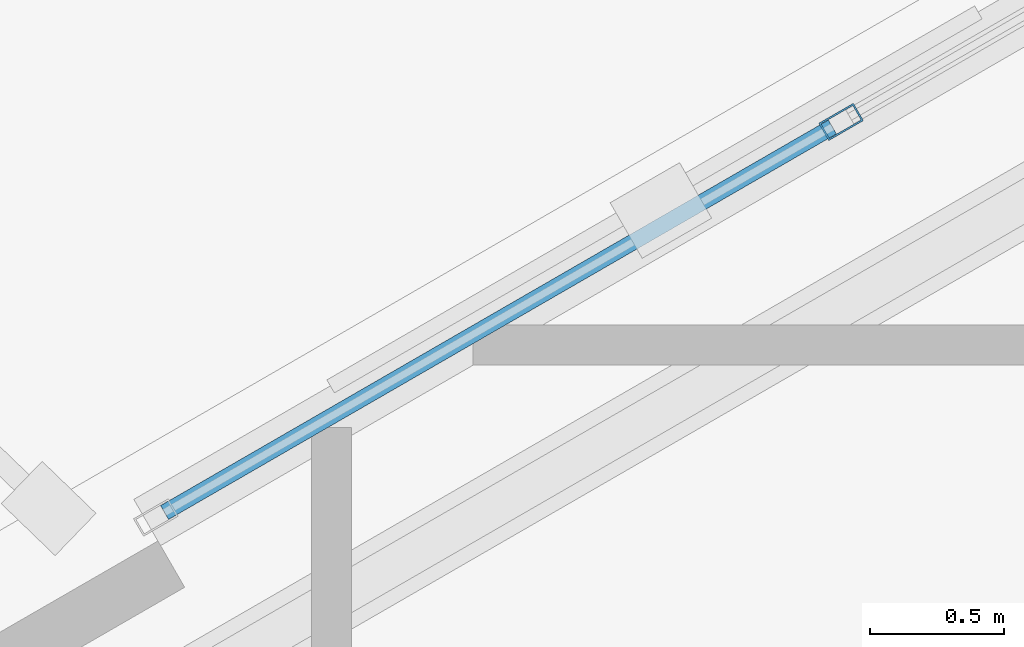
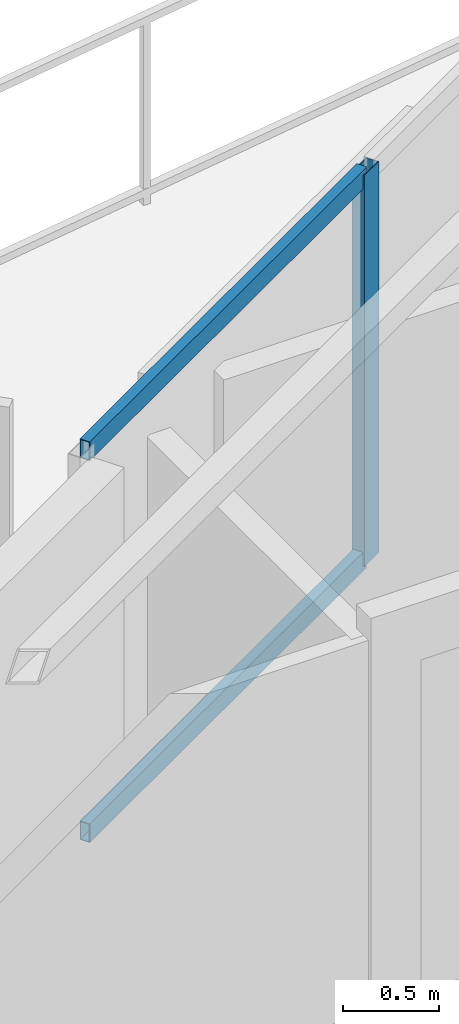
# One storey, part 8 of 21: 3 members, 1 element without a shape of its own.
"""IFC4 building model written with IfcOpenShell, lengths in metres."""

from ifc_helpers import new_model, si_unit, direction, frame, origin, origin_2d, place, context, subcontext, project, spatial, hollow_rectangle, extrude, material, layer, layer_set, material_profile, profile_set, type_object, element, aggregate, save


model = new_model("IFC4")

# Units and contexts
model_context = context("Model", 3, precision=1e-05, world=origin(), true_north=direction((0.0, 1.0)))
body_context = subcontext(model_context, "Body", "Model", "MODEL_VIEW")
ifc_project = project(units=[si_unit("LENGTHUNIT", "METRE"), si_unit("AREAUNIT", "SQUARE_METRE"), si_unit("VOLUMEUNIT", "CUBIC_METRE"), si_unit("PLANEANGLEUNIT", "RADIAN"), si_unit("MASSUNIT", "GRAM", prefix="KILO")], contexts=[model_context])

# Site, building, storey
site_placement = place(None, origin())
site = spatial("IfcSite", under=ifc_project, at=site_placement, CompositionType="ELEMENT")
building_placement = place(site_placement, origin())
building = spatial("IfcBuilding", under=site, at=building_placement, Name="Mersakhor Tower and Convention Hall", CompositionType="ELEMENT")
storey_placement = place(building_placement, frame((0.0, 0.0, 211.800048828125)))
storey = spatial("IfcBuildingStorey", under=building, at=storey_placement, Name="L59", CompositionType="ELEMENT", Elevation=211.800048828125)

# Curtain wall, members
ifc_material_1 = material(Name="Dark solar low-E aluminium curtain wall", Category="aluminium")
ifc_layer = layer(ifc_material_1, 0.169921875)
ifc_layer_set = layer_set([ifc_layer], Name="Dark solar low-E aluminium curtain wall")
curtain_wall_type = type_object("IfcCurtainWallType", Name="CW-SYS-02", PredefinedType="USERDEFINED", material=ifc_layer_set)
curtain_wall_placement = place(storey_placement, origin())
curtain_wall = element("IfcCurtainWall", 1, at=curtain_wall_placement, inside=storey, type_object=curtain_wall_type, Name="L59 Dark-Glass Curtain Wall F1-B2", ObjectType="CURTAIN WALL", PredefinedType="USERDEFINED")
ifc_material_2 = material(Name="Anodised aluminium EN AW-6063 T6", Category="aluminium")
ifc_material_profile_1 = material_profile(ifc_material_2, hollow_rectangle(XDim=0.074951171875, YDim=0.14990234375, WallThickness=0.00634765625, at=origin_2d()), Name="RHS 150x75x6.3")
ifc_profile_set_1 = profile_set([ifc_material_profile_1], Name="Anodised aluminium EN AW-6063 T6")
member_type_1 = type_object("IfcMemberType", Name="CWM-150x75", PredefinedType="MULLION", material=ifc_profile_set_1)
member_1_placement = place(storey_placement, frame((21.906982421875, 36.035888671875, 0.199951171875), z_axis=(0.0, 0.0, 1.0), x_axis=(-0.500007824483, 0.86602088627, 0.0)))
member_1 = element("IfcMember", 2, at=member_1_placement, type_object=member_type_1, Name="CW-02 mullion 2", PredefinedType="MULLION", context=body_context, shape_type="SweptSolid", body=[
    extrude(hollow_rectangle(XDim=0.074951171875, YDim=0.14990234375, WallThickness=0.00634765625, at=origin_2d()), origin(), (0.0, 0.0, 1.0), 2.489990234375),
])
ifc_material_3 = material(Name="Anodised aluminium EN AW-6063 T6", Category="aluminium")
ifc_material_profile_2 = material_profile(ifc_material_3, hollow_rectangle(XDim=0.06005859375, YDim=0.1201171875, WallThickness=0.0048828125, at=origin_2d()), Name="RHS 120x60x5")
ifc_profile_set_2 = profile_set([ifc_material_profile_2], Name="Anodised aluminium EN AW-6063 T6")
member_type_2 = type_object("IfcMemberType", Name="CWT-120x60", PredefinedType="USERDEFINED", material=ifc_profile_set_2)
member_2_placement = place(storey_placement, frame((19.374267578125, 34.573486328125, 0.22998046875), z_axis=(0.86601237176, 0.50002257145, 0.0), x_axis=(-0.50002257145, 0.86601237176, 0.0)))
member_2 = element("IfcMember", 3, at=member_2_placement, type_object=member_type_2, Name="CW-02 transom 1.1", ObjectType="TRANSOM", PredefinedType="USERDEFINED", context=body_context, shape_type="SweptSolid", body=[
    extrude(hollow_rectangle(XDim=0.06005859375, YDim=0.1201171875, WallThickness=0.0048828125, at=origin_2d()), origin(), (0.0, 0.0, 1.0), 2.886962890625),
])
member_3_placement = place(storey_placement, frame((19.374267578125, 34.573486328125, 2.659912109375), z_axis=(0.86601237176, 0.50002257145, 0.0), x_axis=(-0.50002257145, 0.86601237176, 0.0)))
member_3 = element("IfcMember", 4, at=member_3_placement, type_object=member_type_2, Name="CW-02 transom 1.2", ObjectType="TRANSOM", PredefinedType="USERDEFINED", context=body_context, shape_type="SweptSolid", body=[
    extrude(hollow_rectangle(XDim=0.06005859375, YDim=0.1201171875, WallThickness=0.0048828125, at=origin_2d()), origin(), (0.0, 0.0, 1.0), 2.886962890625),
])
aggregate(curtain_wall, [member_1, member_2, member_3])

save(model, "model.ifc")
